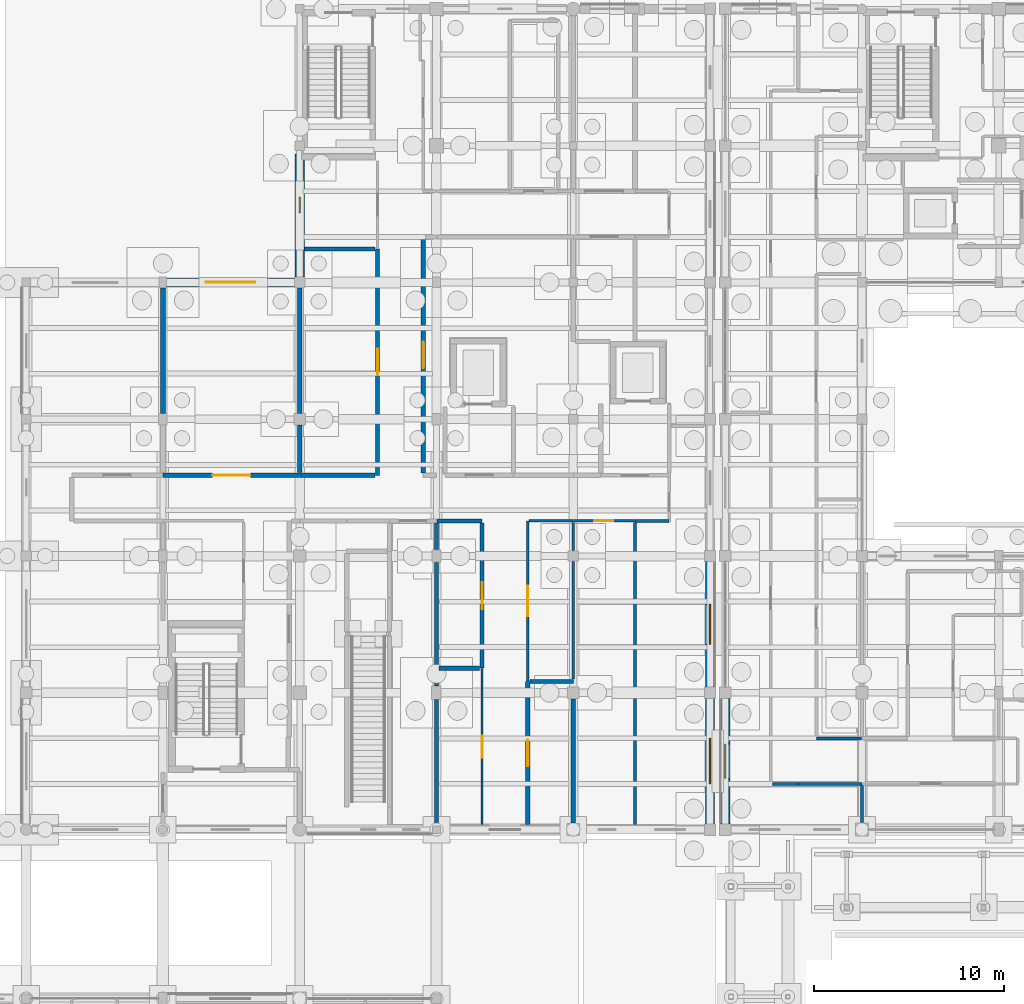
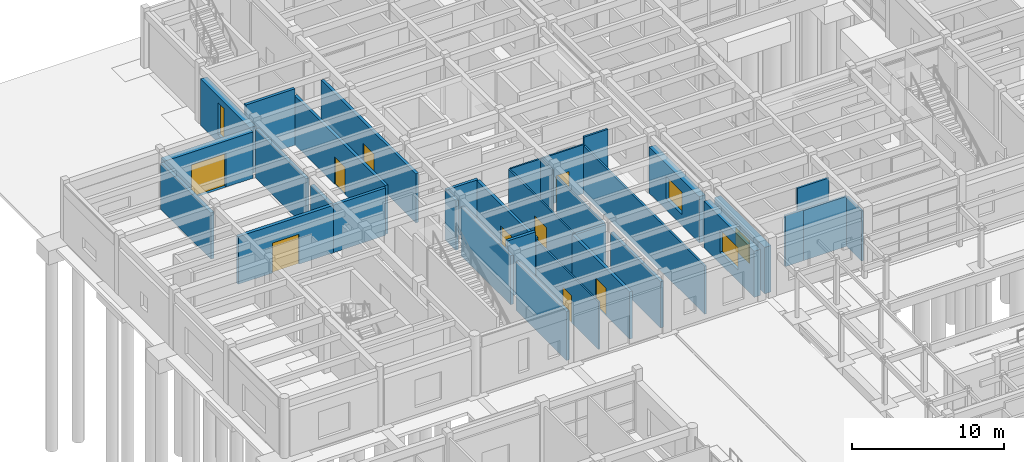
# One storey, part 106 of 143: 34 walls, 9 doors, 4 windows, 13 openings.
"""IFC4 building model written with IfcOpenShell, lengths in metres."""

from ifc_helpers import new_model, si_unit, direction, frame, frame_2d, origin, place, context, subcontext, project, spatial, rectangle, extrude, material, layer, layer_set, type_object, element, fill, save


model = new_model("IFC4")

# Units and contexts
model_context = context("Model", 3, precision=1e-05, world=origin(), true_north=direction((0.0, 1.0)))
body_context = subcontext(model_context, "Body", "Model", "MODEL_VIEW")
ifc_project = project(units=[si_unit("LENGTHUNIT", "METRE"), si_unit("AREAUNIT", "SQUARE_METRE"), si_unit("VOLUMEUNIT", "CUBIC_METRE"), si_unit("PLANEANGLEUNIT", "RADIAN"), si_unit("MASSUNIT", "GRAM", prefix="KILO")], contexts=[model_context])

# Site, building, storey
site_placement = place(None, origin())
site = spatial("IfcSite", under=ifc_project, at=site_placement, CompositionType="ELEMENT")
building_placement = place(site_placement, origin())
building = spatial("IfcBuilding", under=site, at=building_placement, Name="Steenspoor Specialist Clinic", CompositionType="ELEMENT")
storey_placement = place(building_placement, origin())
storey = spatial("IfcBuildingStorey", under=building, at=storey_placement, Name="L00", CompositionType="ELEMENT", Elevation=0.0)

# Wall, opening, window
ifc_material_1 = material(Name="Volcanic basalt ashlar masonry", Category="masonry")
ifc_layer_1 = layer(ifc_material_1, 0.47998046875)
ifc_layer_set_1 = layer_set([ifc_layer_1], Name="Volcanic basalt ashlar masonry")
wall_type_1 = type_object("IfcWallType", Name="W-BASALT-480", PredefinedType="SOLIDWALL", material=ifc_layer_set_1)
wall_1_placement = place(storey_placement, frame((52.39990234375, 65.449951171875, 0.0), z_axis=(0.0, 0.0, 1.0), x_axis=(0.0, 1.0, 0.0)))
wall_1 = element("IfcWall", 1, at=wall_1_placement, inside=storey, type_object=wall_type_1, Name="Exterior Brick Wall EW-V4-L00-0084", PredefinedType="SOLIDWALL", context=body_context, shape_type="SweptSolid", body=[
    extrude(rectangle(XDim=6.60009765625, YDim=0.47998046875, at=frame_2d((3.300048828125, 0.0))), origin(), (0.0, 0.0, 1.0), 3.72998046875),
])
opening_1_placement = place(wall_1_placement, frame((2.39990234375, 0.0, 0.89990234375)))
opening_1 = element("IfcOpeningElement", 2, at=opening_1_placement, cuts=wall_1, Name="Opening WN-08", PredefinedType="OPENING", context=body_context, shape_type="SweptSolid", body=[
    extrude(rectangle(XDim=1.800048828125, YDim=1.800048828125, at=frame_2d((0.89990234375, 0.89990234375))), frame((0.0, 0.25, 0.0), z_axis=(0.0, -1.0, 0.0), x_axis=(1.0, 0.0, 0.0)), (0.0, 0.0, 1.0), 0.5),
])
ifc_material_2 = material(Name="Thermally broken aluminium and low-emissivity glass", Category="aluminium")
window_type_1 = type_object("IfcWindowType", Name="WN-EXT-180X180", PartitioningType="SINGLE_PANEL", PredefinedType="WINDOW", material=ifc_material_2)
window_1_placement = place(opening_1_placement, origin())
window_1 = element("IfcWindow", 3, at=window_1_placement, inside=storey, type_object=window_type_1, Name="Window 0104", OverallHeight=1.800048828125, OverallWidth=1.800048828125, PartitioningType="SINGLE_PANEL", PredefinedType="WINDOW", context=body_context, shape_type="SweptSolid", body=[
    extrude(rectangle(XDim=1.800048828125, YDim=1.800048828125, at=frame_2d((0.89990234375, 0.89990234375))), frame((0.0, 0.030029296875, 0.0), z_axis=(0.0, -1.0, 0.0), x_axis=(1.0, 0.0, 0.0)), (0.0, 0.0, 1.0), 0.06005859375),
])
fill(opening_1, window_1)

# Wall, opening, door
wall_2_placement = place(storey_placement, frame((23.0, 93.949951171875, 0.0), z_axis=(0.0, 0.0, 1.0), x_axis=(1.0, 0.0, 0.0)))
wall_2 = element("IfcWall", 4, at=wall_2_placement, inside=storey, type_object=wall_type_1, Name="Exterior Brick Wall EW-V5-L00-0242", PredefinedType="SOLIDWALL", context=body_context, shape_type="SweptSolid", body=[
    extrude(rectangle(XDim=6.72509765625, YDim=0.47998046875, at=frame_2d((3.362548828125, 0.0))), origin(), (0.0, 0.0, 1.0), 3.699951171875),
])
opening_2_placement = place(wall_2_placement, frame((2.0625, 0.0, 0.0)))
opening_2 = element("IfcOpeningElement", 5, at=opening_2_placement, cuts=wall_2, Name="Opening ED33", PredefinedType="OPENING", context=body_context, shape_type="SweptSolid", body=[
    extrude(rectangle(XDim=2.60009765625, YDim=2.699951171875, at=frame_2d((1.300048828125, 1.35009765625))), frame((0.0, 0.25, 0.0), z_axis=(0.0, -1.0, 0.0), x_axis=(1.0, 0.0, 0.0)), (0.0, 0.0, 1.0), 0.5),
])
ifc_material_3 = material(Name="Painted galvanised steel loading door", Category="steel")
door_type_1 = type_object("IfcDoorType", Name="DT-DOCK-260X270", OperationType="NOTDEFINED", PredefinedType="DOOR", material=ifc_material_3)
door_1_placement = place(opening_2_placement, origin())
door_1 = element("IfcDoor", 6, at=door_1_placement, inside=storey, type_object=door_type_1, Name="Service Loading Door ED33", OperationType="DOUBLE_DOOR_SINGLE_SWING", OverallHeight=2.699951171875, OverallWidth=2.60009765625, PredefinedType="DOOR", context=body_context, shape_type="SweptSolid", body=[
    extrude(rectangle(XDim=2.60009765625, YDim=2.699951171875, at=frame_2d((1.300048828125, 1.35009765625))), frame((0.0, 0.02490234375, 0.0), z_axis=(0.0, -1.0, 0.0), x_axis=(1.0, 0.0, 0.0)), (0.0, 0.0, 1.0), 0.050048828125),
])
fill(opening_2, door_1)

# Wall, opening, window
wall_3_placement = place(storey_placement, frame((30.0, 94.22509765625, 0.0), z_axis=(0.0, 0.0, 1.0), x_axis=(0.0, 1.0, 0.0)))
wall_3 = element("IfcWall", 7, at=wall_3_placement, inside=storey, type_object=wall_type_1, Name="Exterior Brick Wall EW-V5-L00-0243", PredefinedType="SOLIDWALL", context=body_context, shape_type="SweptSolid", body=[
    extrude(rectangle(XDim=6.474853515625, YDim=0.47998046875, at=frame_2d((3.2373046875, 0.0))), origin(), (0.0, 0.0, 1.0), 3.699951171875),
])
opening_3_placement = place(wall_3_placement, frame((3.402587890625, 0.0, 0.60009765625)))
opening_3 = element("IfcOpeningElement", 8, at=opening_3_placement, cuts=wall_3, Name="Opening WN-24", PredefinedType="OPENING", context=body_context, shape_type="SweptSolid", body=[
    extrude(rectangle(XDim=0.800048828125, YDim=2.60009765625, at=frame_2d((0.39990234375, 1.300048828125))), frame((0.0, 0.25, 0.0), z_axis=(0.0, -1.0, 0.0), x_axis=(1.0, 0.0, 0.0)), (0.0, 0.0, 1.0), 0.5),
])
window_type_2 = type_object("IfcWindowType", Name="WN-EXT-080X260", PartitioningType="SINGLE_PANEL", PredefinedType="WINDOW", material=ifc_material_2)
window_2_placement = place(opening_3_placement, origin())
window_2 = element("IfcWindow", 9, at=window_2_placement, inside=storey, type_object=window_type_2, Name="Window 0264", OverallHeight=2.60009765625, OverallWidth=0.800048828125, PartitioningType="SINGLE_PANEL", PredefinedType="WINDOW", context=body_context, shape_type="SweptSolid", body=[
    extrude(rectangle(XDim=0.800048828125, YDim=2.60009765625, at=frame_2d((0.39990234375, 1.300048828125))), frame((0.0, 0.030029296875, 0.0), z_axis=(0.0, -1.0, 0.0), x_axis=(1.0, 0.0, 0.0)), (0.0, 0.0, 1.0), 0.06005859375),
])
fill(opening_3, window_2)

wall_4_placement = place(storey_placement, frame((51.60009765625, 79.25, 0.0), z_axis=(0.0, 0.0, 1.0), x_axis=(0.0, -1.0, 0.0)))
wall_4 = element("IfcWall", 10, at=wall_4_placement, inside=storey, type_object=wall_type_1, Name="Exterior Brick Wall EW-V5-L00-0252", PredefinedType="SOLIDWALL", context=body_context, shape_type="SweptSolid", body=[
    extrude(rectangle(XDim=6.60009765625, YDim=0.47998046875, at=frame_2d((3.300048828125, 0.0))), origin(), (0.0, 0.0, 1.0), 3.699951171875),
])
opening_4_placement = place(wall_4_placement, frame((2.25, 0.0, 0.89990234375)))
opening_4 = element("IfcOpeningElement", 11, at=opening_4_placement, cuts=wall_4, Name="Opening WN-09", PredefinedType="OPENING", context=body_context, shape_type="SweptSolid", body=[
    extrude(rectangle(XDim=2.10009765625, YDim=1.800048828125, at=frame_2d((1.050048828125, 0.89990234375))), frame((0.0, 0.25, 0.0), z_axis=(0.0, -1.0, 0.0), x_axis=(1.0, 0.0, 0.0)), (0.0, 0.0, 1.0), 0.5),
])
window_type_3 = type_object("IfcWindowType", Name="WN-EXT-210X180", PartitioningType="SINGLE_PANEL", PredefinedType="WINDOW", material=ifc_material_2)
window_3_placement = place(opening_4_placement, origin())
window_3 = element("IfcWindow", 12, at=window_3_placement, inside=storey, type_object=window_type_3, Name="Window 0273", OverallHeight=1.800048828125, OverallWidth=2.10009765625, PartitioningType="SINGLE_PANEL", PredefinedType="WINDOW", context=body_context, shape_type="SweptSolid", body=[
    extrude(rectangle(XDim=2.10009765625, YDim=1.800048828125, at=frame_2d((1.050048828125, 0.89990234375))), frame((0.0, 0.030029296875, 0.0), z_axis=(0.0, -1.0, 0.0), x_axis=(1.0, 0.0, 0.0)), (0.0, 0.0, 1.0), 0.06005859375),
])
fill(opening_4, window_3)

wall_5_placement = place(storey_placement, frame((51.60009765625, 72.050048828125, 0.0), z_axis=(0.0, 0.0, 1.0), x_axis=(0.0, -1.0, 0.0)))
wall_5 = element("IfcWall", 13, at=wall_5_placement, inside=storey, type_object=wall_type_1, Name="Exterior Brick Wall EW-V5-L00-0253", PredefinedType="SOLIDWALL", context=body_context, shape_type="SweptSolid", body=[
    extrude(rectangle(XDim=6.60009765625, YDim=0.47998046875, at=frame_2d((3.300048828125, 0.0))), origin(), (0.0, 0.0, 1.0), 3.699951171875),
])
opening_5_placement = place(wall_5_placement, frame((2.10009765625, 0.0, 0.89990234375)))
opening_5 = element("IfcOpeningElement", 14, at=opening_5_placement, cuts=wall_5, Name="Opening WN-10", PredefinedType="OPENING", context=body_context, shape_type="SweptSolid", body=[
    extrude(rectangle(XDim=2.39990234375, YDim=1.800048828125, at=frame_2d((1.199951171875, 0.89990234375))), frame((0.0, 0.25, 0.0), z_axis=(0.0, -1.0, 0.0), x_axis=(1.0, 0.0, 0.0)), (0.0, 0.0, 1.0), 0.5),
])
window_type_4 = type_object("IfcWindowType", Name="WN-EXT-240X180", PartitioningType="SINGLE_PANEL", PredefinedType="WINDOW", material=ifc_material_2)
window_4_placement = place(opening_5_placement, origin())
window_4 = element("IfcWindow", 15, at=window_4_placement, inside=storey, type_object=window_type_4, Name="Window 0274", OverallHeight=1.800048828125, OverallWidth=2.39990234375, PartitioningType="SINGLE_PANEL", PredefinedType="WINDOW", context=body_context, shape_type="SweptSolid", body=[
    extrude(rectangle(XDim=2.39990234375, YDim=1.800048828125, at=frame_2d((1.199951171875, 0.89990234375))), frame((0.0, 0.030029296875, 0.0), z_axis=(0.0, -1.0, 0.0), x_axis=(1.0, 0.0, 0.0)), (0.0, 0.0, 1.0), 0.06005859375),
])
fill(opening_5, window_4)

# Walls
ifc_material_4 = material(Name="Gypsum acoustic clinical partition", Category="gypsum")
ifc_layer_2 = layer(ifc_material_4, 0.14990234375)
ifc_layer_set_2 = layer_set([ifc_layer_2], Name="Gypsum acoustic clinical partition")
wall_type_2 = type_object("IfcWallType", Name="W-CLIN-150", PredefinedType="PARTITIONING", material=ifc_layer_set_2)
wall_6_placement = place(storey_placement, frame((54.889892578125, 67.550048828125, 0.0), z_axis=(0.0, 0.0, 1.0), x_axis=(1.0, 0.0, 0.0)))
element("IfcWall", 16, at=wall_6_placement, inside=storey, type_object=wall_type_2, Name="Interior Partition IW-V4-L00-0212", PredefinedType="PARTITIONING", context=body_context, shape_type="SweptSolid", body=[
    extrude(rectangle(XDim=1.360107421875, YDim=0.14990234375, at=frame_2d((0.68017578125, 0.0))), origin(), (0.0, 0.0, 1.0), 4.074951171875),
])
wall_7_placement = place(storey_placement, frame((56.264892578125, 67.550048828125, 0.0), z_axis=(0.0, 0.0, 1.0), x_axis=(1.0, 0.0, 0.0)))
element("IfcWall", 17, at=wall_7_placement, inside=storey, type_object=wall_type_2, Name="Interior Partition IW-V4-L00-0213", PredefinedType="PARTITIONING", context=body_context, shape_type="SweptSolid", body=[
    extrude(rectangle(XDim=3.335205078125, YDim=0.14990234375, at=frame_2d((1.66748046875, 0.0))), origin(), (0.0, 0.0, 1.0), 4.014892578125),
])
wall_8_placement = place(storey_placement, frame((57.199951171875, 69.949951171875, 0.0), z_axis=(0.0, 0.0, 1.0), x_axis=(1.0, 0.0, 0.0)))
element("IfcWall", 18, at=wall_8_placement, inside=storey, type_object=wall_type_2, Name="Interior Partition IW-V4-L00-0231", PredefinedType="PARTITIONING", context=body_context, shape_type="SweptSolid", body=[
    extrude(rectangle(XDim=2.385009765625, YDim=0.14990234375, at=frame_2d((1.1923828125, 0.0))), origin(), (0.0, 0.0, 1.0), 4.014892578125),
])
wall_9_placement = place(storey_placement, frame((47.64990234375, 81.39990234375, 0.0), z_axis=(0.0, 0.0, 1.0), x_axis=(1.0, 0.0, 0.0)))
element("IfcWall", 19, at=wall_9_placement, inside=storey, type_object=wall_type_2, Name="Interior Partition IW-V5-L00-0274", PredefinedType="PARTITIONING", context=body_context, shape_type="SweptSolid", body=[
    extrude(rectangle(XDim=1.800048828125, YDim=0.14990234375, at=frame_2d((0.89990234375, 0.0))), origin(), (0.0, 0.0, 1.0), 4.52001953125),
])
wall_10_placement = place(storey_placement, frame((59.60009765625, 65.514892578125, 0.0), z_axis=(0.0, 0.0, 1.0), x_axis=(0.0, 1.0, 0.0)))
element("IfcWall", 20, at=wall_10_placement, inside=storey, type_object=wall_type_2, Name="Interior Partition IW-V4-L00-0599", PredefinedType="PARTITIONING", context=body_context, shape_type="SweptSolid", body=[
    extrude(rectangle(XDim=1.945068359375, YDim=0.14990234375, at=frame_2d((0.97265625, 0.0))), origin(), (0.0, 0.0, 1.0), 4.014892578125),
])
wall_11_placement = place(storey_placement, frame((47.64990234375, 65.405029296875, 0.0), z_axis=(0.0, 0.0, 1.0), x_axis=(0.0, 1.0, 0.0)))
element("IfcWall", 21, at=wall_11_placement, inside=storey, type_object=wall_type_2, Name="Interior Partition IW-V5-L00-0632", PredefinedType="PARTITIONING", context=body_context, shape_type="SweptSolid", body=[
    extrude(rectangle(XDim=15.905029296875, YDim=0.14990234375, at=frame_2d((7.95263671875, 0.0))), origin(), (0.0, 0.0, 1.0), 3.85498046875),
])

# Wall, opening, door
ifc_material_5 = material(Name="Fire-rated clay blockwork masonry", Category="masonry")
ifc_layer_3 = layer(ifc_material_5, 0.219970703125)
ifc_layer_set_3 = layer_set([ifc_layer_3], Name="Fire-rated clay blockwork masonry")
wall_type_3 = type_object("IfcWallType", Name="W-FIRE-220", PredefinedType="PARTITIONING", material=ifc_layer_set_3)
wall_12_placement = place(storey_placement, frame((42.0, 65.405029296875, 0.0), z_axis=(0.0, 0.0, 1.0), x_axis=(0.0, 1.0, 0.0)))
wall_12 = element("IfcWall", 22, at=wall_12_placement, inside=storey, type_object=wall_type_3, Name="Interior Partition IW-V5-L00-0079", PredefinedType="PARTITIONING", context=body_context, shape_type="SweptSolid", body=[
    extrude(rectangle(XDim=7.5400390625, YDim=0.219970703125, at=frame_2d((3.77001953125, 0.0))), origin(), (0.0, 0.0, 1.0), 3.784912109375),
])
opening_6_placement = place(wall_12_placement, frame((3.070068359375, 0.0, 0.0)))
opening_6 = element("IfcOpeningElement", 23, at=opening_6_placement, cuts=wall_12, Name="Opening D0328", PredefinedType="OPENING", context=body_context, shape_type="SweptSolid", body=[
    extrude(rectangle(XDim=1.39990234375, YDim=2.199951171875, at=frame_2d((0.699951171875, 1.10009765625))), frame((0.0, 0.1201171875, 0.0), z_axis=(0.0, -1.0, 0.0), x_axis=(1.0, 0.0, 0.0)), (0.0, 0.0, 1.0), 0.239990234375),
])
ifc_material_6 = material(Name="Fire-rated clinical laminate door", Category="steel")
door_type_2 = type_object("IfcDoorType", Name="DT-LAB-140X220", OperationType="NOTDEFINED", PredefinedType="DOOR", material=ifc_material_6)
door_2_placement = place(opening_6_placement, origin())
door_2 = element("IfcDoor", 24, at=door_2_placement, inside=storey, type_object=door_type_2, Name="Clinical Door D0328", OperationType="SINGLE_SWING_LEFT", OverallHeight=2.199951171875, OverallWidth=1.39990234375, PredefinedType="DOOR", context=body_context, shape_type="SweptSolid", body=[
    extrude(rectangle(XDim=1.39990234375, YDim=2.199951171875, at=frame_2d((0.699951171875, 1.10009765625))), frame((0.0, 0.02490234375, 0.0), z_axis=(0.0, -1.0, 0.0), x_axis=(1.0, 0.0, 0.0)), (0.0, 0.0, 1.0), 0.050048828125),
])
fill(opening_6, door_2)

# Wall
wall_13_placement = place(storey_placement, frame((37.215087890625, 81.39990234375, 0.0), z_axis=(0.0, 0.0, 1.0), x_axis=(1.0, 0.0, 0.0)))
element("IfcWall", 25, at=wall_13_placement, inside=storey, type_object=wall_type_3, Name="Interior Partition IW-V5-L00-0080", PredefinedType="PARTITIONING", context=body_context, shape_type="SweptSolid", body=[
    extrude(rectangle(XDim=2.385009765625, YDim=0.219970703125, at=frame_2d((1.1923828125, 0.0))), origin(), (0.0, 0.0, 1.0), 3.955078125),
])

# Wall, opening, door
wall_14_placement = place(storey_placement, frame((39.60009765625, 73.64501953125, 0.0), z_axis=(0.0, 0.0, 1.0), x_axis=(0.0, 1.0, 0.0)))
wall_14 = element("IfcWall", 26, at=wall_14_placement, inside=storey, type_object=wall_type_3, Name="Interior Partition IW-V5-L00-0081", PredefinedType="PARTITIONING", context=body_context, shape_type="SweptSolid", body=[
    extrude(rectangle(XDim=7.6298828125, YDim=0.219970703125, at=frame_2d((3.81494140625, 0.0))), origin(), (0.0, 0.0, 1.0), 3.925048828125),
])
opening_7_placement = place(wall_14_placement, frame((3.114990234375, 0.0, 0.0)))
opening_7 = element("IfcOpeningElement", 27, at=opening_7_placement, cuts=wall_14, Name="Opening D0332", PredefinedType="OPENING", context=body_context, shape_type="SweptSolid", body=[
    extrude(rectangle(XDim=1.39990234375, YDim=2.199951171875, at=frame_2d((0.699951171875, 1.10009765625))), frame((0.0, 0.1201171875, 0.0), z_axis=(0.0, -1.0, 0.0), x_axis=(1.0, 0.0, 0.0)), (0.0, 0.0, 1.0), 0.239990234375),
])
door_3_placement = place(opening_7_placement, origin())
door_3 = element("IfcDoor", 28, at=door_3_placement, inside=storey, type_object=door_type_2, Name="Clinical Door D0332", OperationType="SINGLE_SWING_LEFT", OverallHeight=2.199951171875, OverallWidth=1.39990234375, PredefinedType="DOOR", context=body_context, shape_type="SweptSolid", body=[
    extrude(rectangle(XDim=1.39990234375, YDim=2.199951171875, at=frame_2d((0.699951171875, 1.10009765625))), frame((0.0, 0.02490234375, 0.0), z_axis=(0.0, -1.0, 0.0), x_axis=(1.0, 0.0, 0.0)), (0.0, 0.0, 1.0), 0.050048828125),
])
fill(opening_7, door_3)

wall_15_placement = place(storey_placement, frame((34.10009765625, 83.800048828125, 0.0), z_axis=(0.0, 0.0, 1.0), x_axis=(0.0, 1.0, 0.0)))
wall_15 = element("IfcWall", 29, at=wall_15_placement, inside=storey, type_object=wall_type_3, Name="Interior Partition IW-V5-L00-0082", PredefinedType="PARTITIONING", context=body_context, shape_type="SweptSolid", body=[
    extrude(rectangle(XDim=11.905029296875, YDim=0.219970703125, at=frame_2d((5.95263671875, 0.0))), origin(), (0.0, 0.0, 1.0), 3.925048828125),
])
opening_8_placement = place(wall_15_placement, frame((5.25244140625, 0.0, 0.0)))
opening_8 = element("IfcOpeningElement", 30, at=opening_8_placement, cuts=wall_15, Name="Opening D0335", PredefinedType="OPENING", context=body_context, shape_type="SweptSolid", body=[
    extrude(rectangle(XDim=1.39990234375, YDim=2.199951171875, at=frame_2d((0.699951171875, 1.10009765625))), frame((0.0, 0.1201171875, 0.0), z_axis=(0.0, -1.0, 0.0), x_axis=(1.0, 0.0, 0.0)), (0.0, 0.0, 1.0), 0.239990234375),
])
door_4_placement = place(opening_8_placement, origin())
door_4 = element("IfcDoor", 31, at=door_4_placement, inside=storey, type_object=door_type_2, Name="Clinical Door D0335", OperationType="SINGLE_SWING_RIGHT", OverallHeight=2.199951171875, OverallWidth=1.39990234375, PredefinedType="DOOR", context=body_context, shape_type="SweptSolid", body=[
    extrude(rectangle(XDim=1.39990234375, YDim=2.199951171875, at=frame_2d((0.699951171875, 1.10009765625))), frame((0.0, 0.02490234375, 0.0), z_axis=(0.0, -1.0, 0.0), x_axis=(1.0, 0.0, 0.0)), (0.0, 0.0, 1.0), 0.050048828125),
])
fill(opening_8, door_4)

# Wall
wall_16_placement = place(storey_placement, frame((30.014892578125, 83.800048828125, 0.0), z_axis=(0.0, 0.0, 1.0), x_axis=(1.0, 0.0, 0.0)))
element("IfcWall", 32, at=wall_16_placement, inside=storey, type_object=wall_type_3, Name="Interior Partition IW-V5-L00-0083", PredefinedType="PARTITIONING", context=body_context, shape_type="SweptSolid", body=[
    extrude(rectangle(XDim=3.960205078125, YDim=0.219970703125, at=frame_2d((1.97998046875, 0.0))), origin(), (0.0, 0.0, 1.0), 3.804931640625),
])

# Wall, opening, door
wall_17_placement = place(storey_placement, frame((36.5, 83.925048828125, 0.0), z_axis=(0.0, 0.0, 1.0), x_axis=(0.0, 1.0, 0.0)))
wall_17 = element("IfcWall", 33, at=wall_17_placement, inside=storey, type_object=wall_type_3, Name="Interior Partition IW-V5-L00-0086", PredefinedType="PARTITIONING", context=body_context, shape_type="SweptSolid", body=[
    extrude(rectangle(XDim=12.425048828125, YDim=0.219970703125, at=frame_2d((6.21240234375, 0.0))), origin(), (0.0, 0.0, 1.0), 3.925048828125),
])
opening_9_placement = place(wall_17_placement, frame((5.512451171875, 0.0, 0.0)))
opening_9 = element("IfcOpeningElement", 34, at=opening_9_placement, cuts=wall_17, Name="Opening D0336", PredefinedType="OPENING", context=body_context, shape_type="SweptSolid", body=[
    extrude(rectangle(XDim=1.39990234375, YDim=2.199951171875, at=frame_2d((0.699951171875, 1.10009765625))), frame((0.0, 0.1201171875, 0.0), z_axis=(0.0, -1.0, 0.0), x_axis=(1.0, 0.0, 0.0)), (0.0, 0.0, 1.0), 0.239990234375),
])
door_5_placement = place(opening_9_placement, origin())
door_5 = element("IfcDoor", 35, at=door_5_placement, inside=storey, type_object=door_type_2, Name="Clinical Door D0336", OperationType="SINGLE_SWING_LEFT", OverallHeight=2.199951171875, OverallWidth=1.39990234375, PredefinedType="DOOR", context=body_context, shape_type="SweptSolid", body=[
    extrude(rectangle(XDim=1.39990234375, YDim=2.199951171875, at=frame_2d((0.699951171875, 1.10009765625))), frame((0.0, 0.02490234375, 0.0), z_axis=(0.0, -1.0, 0.0), x_axis=(1.0, 0.0, 0.0)), (0.0, 0.0, 1.0), 0.050048828125),
])
fill(opening_9, door_5)

# Walls
wall_18_placement = place(storey_placement, frame((37.199951171875, 65.364990234375, 0.0), z_axis=(0.0, 0.0, 1.0), x_axis=(0.0, 1.0, 0.0)))
element("IfcWall", 36, at=wall_18_placement, inside=storey, type_object=wall_type_3, Name="Interior Partition IW-V5-L00-0447", PredefinedType="PARTITIONING", context=body_context, shape_type="SweptSolid", body=[
    extrude(rectangle(XDim=6.6201171875, YDim=0.219970703125, at=frame_2d((3.31005859375, 0.0))), origin(), (0.0, 0.0, 1.0), 3.925048828125),
])
wall_19_placement = place(storey_placement, frame((37.199951171875, 72.715087890625, 0.0), z_axis=(0.0, 0.0, 1.0), x_axis=(0.0, 1.0, 0.0)))
element("IfcWall", 37, at=wall_19_placement, inside=storey, type_object=wall_type_3, Name="Interior Partition IW-V5-L00-0448", PredefinedType="PARTITIONING", context=body_context, shape_type="SweptSolid", body=[
    extrude(rectangle(XDim=6.494873046875, YDim=0.219970703125, at=frame_2d((3.24755859375, 0.0))), origin(), (0.0, 0.0, 1.0), 3.925048828125),
])
wall_20_placement = place(storey_placement, frame((37.199951171875, 79.889892578125, 0.0), z_axis=(0.0, 0.0, 1.0), x_axis=(0.0, 1.0, 0.0)))
element("IfcWall", 38, at=wall_20_placement, inside=storey, type_object=wall_type_3, Name="Interior Partition IW-V5-L00-0449", PredefinedType="PARTITIONING", context=body_context, shape_type="SweptSolid", body=[
    extrude(rectangle(XDim=1.385009765625, YDim=0.219970703125, at=frame_2d((0.6923828125, 0.0))), origin(), (0.0, 0.0, 1.0), 3.955078125),
])
wall_21_placement = place(storey_placement, frame((37.324951171875, 73.64501953125, 0.0), z_axis=(0.0, 0.0, 1.0), x_axis=(1.0, 0.0, 0.0)))
element("IfcWall", 39, at=wall_21_placement, inside=storey, type_object=wall_type_3, Name="Interior Partition IW-V5-L00-0450", PredefinedType="PARTITIONING", context=body_context, shape_type="SweptSolid", body=[
    extrude(rectangle(XDim=2.150146484375, YDim=0.219970703125, at=frame_2d((1.0751953125, 0.0))), origin(), (0.0, 0.0, 1.0), 4.52001953125),
])
wall_22_placement = place(storey_placement, frame((44.39990234375, 65.489990234375, 0.0), z_axis=(0.0, 0.0, 1.0), x_axis=(0.0, 1.0, 0.0)))
element("IfcWall", 40, at=wall_22_placement, inside=storey, type_object=wall_type_3, Name="Interior Partition IW-V5-L00-0451", PredefinedType="PARTITIONING", context=body_context, shape_type="SweptSolid", body=[
    extrude(rectangle(XDim=6.544921875, YDim=0.219970703125, at=frame_2d((3.2724609375, 0.0))), origin(), (0.0, 0.0, 1.0), 3.705078125),
])
wall_23_placement = place(storey_placement, frame((42.125, 72.945068359375, 0.0), z_axis=(0.0, 0.0, 1.0), x_axis=(1.0, 0.0, 0.0)))
element("IfcWall", 41, at=wall_23_placement, inside=storey, type_object=wall_type_3, Name="Interior Partition IW-V5-L00-0452", PredefinedType="PARTITIONING", context=body_context, shape_type="SweptSolid", body=[
    extrude(rectangle(XDim=2.27490234375, YDim=0.219970703125, at=frame_2d((1.137451171875, 0.0))), origin(), (0.0, 0.0, 1.0), 3.804931640625),
])
wall_24_placement = place(storey_placement, frame((30.2548828125, 95.705078125, 0.0), z_axis=(0.0, 0.0, 1.0), x_axis=(1.0, 0.0, 0.0)))
element("IfcWall", 42, at=wall_24_placement, inside=storey, type_object=wall_type_3, Name="Interior Partition IW-V5-L00-0453", PredefinedType="PARTITIONING", context=body_context, shape_type="SweptSolid", body=[
    extrude(rectangle(XDim=3.72021484375, YDim=0.219970703125, at=frame_2d((1.860107421875, 0.0))), origin(), (0.0, 0.0, 1.0), 4.52001953125),
])

# Wall, opening, door
ifc_material_7 = material(Name="Gypsum studio partition board", Category="gypsum")
ifc_layer_4 = layer(ifc_material_7, 0.1201171875)
ifc_layer_set_4 = layer_set([ifc_layer_4], Name="Gypsum studio partition board")
wall_type_4 = type_object("IfcWallType", Name="W-PART-120", PredefinedType="PARTITIONING", material=ifc_layer_set_4)
wall_25_placement = place(storey_placement, frame((39.60009765625, 65.405029296875, 0.0), z_axis=(0.0, 0.0, 1.0), x_axis=(0.0, 1.0, 0.0)))
wall_25 = element("IfcWall", 43, at=wall_25_placement, inside=storey, type_object=wall_type_4, Name="Interior Partition IW-V5-L00-0364", PredefinedType="PARTITIONING", context=body_context, shape_type="SweptSolid", body=[
    extrude(rectangle(XDim=8.224853515625, YDim=0.1201171875, at=frame_2d((4.1123046875, 0.0))), origin(), (0.0, 0.0, 1.0), 3.784912109375),
])
opening_10_placement = place(wall_25_placement, frame((3.53759765625, 0.0, 0.0)))
opening_10 = element("IfcOpeningElement", 44, at=opening_10_placement, cuts=wall_25, Name="Opening D0327", PredefinedType="OPENING", context=body_context, shape_type="SweptSolid", body=[
    extrude(rectangle(XDim=1.14990234375, YDim=2.14990234375, at=frame_2d((0.574951171875, 1.074951171875))), frame((0.0, 0.070068359375, 0.0), z_axis=(0.0, -1.0, 0.0), x_axis=(1.0, 0.0, 0.0)), (0.0, 0.0, 1.0), 0.14013671875),
])
ifc_material_8 = material(Name="Solid-core hardwood clinical door", Category="wood")
door_type_3 = type_object("IfcDoorType", Name="DT-CONS-115X215", OperationType="NOTDEFINED", PredefinedType="DOOR", material=ifc_material_8)
door_6_placement = place(opening_10_placement, origin())
door_6 = element("IfcDoor", 45, at=door_6_placement, inside=storey, type_object=door_type_3, Name="Clinical Door D0327", OperationType="SINGLE_SWING_RIGHT", OverallHeight=2.14990234375, OverallWidth=1.14990234375, PredefinedType="DOOR", context=body_context, shape_type="SweptSolid", body=[
    extrude(rectangle(XDim=1.14990234375, YDim=2.14990234375, at=frame_2d((0.574951171875, 1.074951171875))), frame((0.0, 0.02490234375, 0.0), z_axis=(0.0, -1.0, 0.0), x_axis=(1.0, 0.0, 0.0)), (0.0, 0.0, 1.0), 0.050048828125),
])
fill(opening_10, door_6)

wall_26_placement = place(storey_placement, frame((44.39990234375, 81.39990234375, 0.0), z_axis=(0.0, 0.0, 1.0), x_axis=(1.0, 0.0, 0.0)))
wall_26 = element("IfcWall", 46, at=wall_26_placement, inside=storey, type_object=wall_type_4, Name="Interior Partition IW-V5-L00-0365", PredefinedType="PARTITIONING", context=body_context, shape_type="SweptSolid", body=[
    extrude(rectangle(XDim=3.235107421875, YDim=0.1201171875, at=frame_2d((1.61767578125, 0.0))), origin(), (0.0, 0.0, 1.0), 3.925048828125),
])
opening_11_placement = place(wall_26_placement, frame((1.117431640625, 0.0, 0.0)))
opening_11 = element("IfcOpeningElement", 47, at=opening_11_placement, cuts=wall_26, Name="Opening D0329", PredefinedType="OPENING", context=body_context, shape_type="SweptSolid", body=[
    extrude(rectangle(XDim=1.0, YDim=2.14990234375, at=frame_2d((0.5, 1.074951171875))), frame((0.0, 0.070068359375, 0.0), z_axis=(0.0, -1.0, 0.0), x_axis=(1.0, 0.0, 0.0)), (0.0, 0.0, 1.0), 0.14013671875),
])
ifc_material_9 = material(Name="Moisture-resistant HPL accessible WC door", Category="wood")
door_type_4 = type_object("IfcDoorType", Name="DT-AWC-100X215", OperationType="NOTDEFINED", PredefinedType="DOOR", material=ifc_material_9)
door_7_placement = place(opening_11_placement, origin())
door_7 = element("IfcDoor", 48, at=door_7_placement, inside=storey, type_object=door_type_4, Name="Clinical Door D0329", OperationType="SINGLE_SWING_RIGHT", OverallHeight=2.14990234375, OverallWidth=1.0, PredefinedType="DOOR", context=body_context, shape_type="SweptSolid", body=[
    extrude(rectangle(XDim=1.0, YDim=2.14990234375, at=frame_2d((0.5, 1.074951171875))), frame((0.0, 0.02490234375, 0.0), z_axis=(0.0, -1.0, 0.0), x_axis=(1.0, 0.0, 0.0)), (0.0, 0.0, 1.0), 0.050048828125),
])
fill(opening_11, door_7)

wall_27_placement = place(storey_placement, frame((42.0, 72.9599609375, 0.0), z_axis=(0.0, 0.0, 1.0), x_axis=(0.0, 1.0, 0.0)))
wall_27 = element("IfcWall", 49, at=wall_27_placement, inside=storey, type_object=wall_type_4, Name="Interior Partition IW-V5-L00-0366", PredefinedType="PARTITIONING", context=body_context, shape_type="SweptSolid", body=[
    extrude(rectangle(XDim=8.43994140625, YDim=0.1201171875, at=frame_2d((4.219970703125, 0.0))), origin(), (0.0, 0.0, 1.0), 3.925048828125),
])
opening_12_placement = place(wall_27_placement, frame((3.419921875, 0.0, 0.0)))
opening_12 = element("IfcOpeningElement", 50, at=opening_12_placement, cuts=wall_27, Name="Opening D0331", PredefinedType="OPENING", context=body_context, shape_type="SweptSolid", body=[
    extrude(rectangle(XDim=1.60009765625, YDim=2.25, at=frame_2d((0.800048828125, 1.125))), frame((0.0, 0.070068359375, 0.0), z_axis=(0.0, -1.0, 0.0), x_axis=(1.0, 0.0, 0.0)), (0.0, 0.0, 1.0), 0.14013671875),
])
ifc_material_10 = material(Name="Hygienic HPL clinical timber door", Category="wood")
door_type_5 = type_object("IfcDoorType", Name="DT-PROC-160X225", OperationType="NOTDEFINED", PredefinedType="DOOR", material=ifc_material_10)
door_8_placement = place(opening_12_placement, origin())
door_8 = element("IfcDoor", 51, at=door_8_placement, inside=storey, type_object=door_type_5, Name="Clinical Door D0331", OperationType="SINGLE_SWING_RIGHT", OverallHeight=2.25, OverallWidth=1.60009765625, PredefinedType="DOOR", context=body_context, shape_type="SweptSolid", body=[
    extrude(rectangle(XDim=1.60009765625, YDim=2.25, at=frame_2d((0.800048828125, 1.125))), frame((0.0, 0.02490234375, 0.0), z_axis=(0.0, -1.0, 0.0), x_axis=(1.0, 0.0, 0.0)), (0.0, 0.0, 1.0), 0.050048828125),
])
fill(opening_12, door_8)

# Walls
wall_28_placement = place(storey_placement, frame((42.074951171875, 81.39990234375, 0.0), z_axis=(0.0, 0.0, 1.0), x_axis=(1.0, 0.0, 0.0)))
element("IfcWall", 52, at=wall_28_placement, inside=storey, type_object=wall_type_4, Name="Interior Partition IW-V5-L00-0367", PredefinedType="PARTITIONING", context=body_context, shape_type="SweptSolid", body=[
    extrude(rectangle(XDim=2.31005859375, YDim=0.1201171875, at=frame_2d((1.155029296875, 0.0))), origin(), (0.0, 0.0, 1.0), 3.925048828125),
])
wall_29_placement = place(storey_placement, frame((44.39990234375, 73.070068359375, 0.0), z_axis=(0.0, 0.0, 1.0), x_axis=(0.0, 1.0, 0.0)))
element("IfcWall", 53, at=wall_29_placement, inside=storey, type_object=wall_type_4, Name="Interior Partition IW-V5-L00-0659", PredefinedType="PARTITIONING", context=body_context, shape_type="SweptSolid", body=[
    extrude(rectangle(XDim=6.18994140625, YDim=0.1201171875, at=frame_2d((3.094970703125, 0.0))), origin(), (0.0, 0.0, 1.0), 3.804931640625),
])
wall_30_placement = place(storey_placement, frame((44.39990234375, 79.840087890625, 0.0), z_axis=(0.0, 0.0, 1.0), x_axis=(0.0, 1.0, 0.0)))
element("IfcWall", 54, at=wall_30_placement, inside=storey, type_object=wall_type_4, Name="Interior Partition IW-V5-L00-0660", PredefinedType="PARTITIONING", context=body_context, shape_type="SweptSolid", body=[
    extrude(rectangle(XDim=1.48486328125, YDim=0.1201171875, at=frame_2d((0.742431640625, 0.0))), origin(), (0.0, 0.0, 1.0), 3.925048828125),
])

# Wall, opening, door
ifc_layer_5 = layer(ifc_material_5, 0.25)
ifc_layer_set_5 = layer_set([ifc_layer_5], Name="Fire-rated clay blockwork masonry")
wall_type_5 = type_object("IfcWallType", Name="W-SHAFT-250", PredefinedType="PARTITIONING", material=ifc_layer_set_5)
wall_31_placement = place(storey_placement, frame((22.800048828125, 83.800048828125, 0.0), z_axis=(0.0, 0.0, 1.0), x_axis=(1.0, 0.0, 0.0)))
wall_31 = element("IfcWall", 55, at=wall_31_placement, inside=storey, type_object=wall_type_5, Name="Interior Partition IW-V5-L00-0060", PredefinedType="PARTITIONING", context=body_context, shape_type="SweptSolid", body=[
    extrude(rectangle(XDim=7.199951171875, YDim=0.25, at=frame_2d((3.60009765625, 0.0))), origin(), (0.0, 0.0, 1.0), 3.804931640625),
])
opening_13_placement = place(wall_31_placement, frame((2.60009765625, 0.0, 0.0)))
opening_13 = element("IfcOpeningElement", 56, at=opening_13_placement, cuts=wall_31, Name="Opening D0334", PredefinedType="OPENING", context=body_context, shape_type="SweptSolid", body=[
    extrude(rectangle(XDim=2.0, YDim=2.39990234375, at=frame_2d((1.0, 1.199951171875))), frame((0.0, 0.135009765625, 0.0), z_axis=(0.0, -1.0, 0.0), x_axis=(1.0, 0.0, 0.0)), (0.0, 0.0, 1.0), 0.27001953125),
])
ifc_material_11 = material(Name="Fire-rated louvred steel plant door", Category="steel")
door_type_6 = type_object("IfcDoorType", Name="DT-PLANT-200X240", OperationType="NOTDEFINED", PredefinedType="DOOR", material=ifc_material_11)
door_9_placement = place(opening_13_placement, origin())
door_9 = element("IfcDoor", 57, at=door_9_placement, inside=storey, type_object=door_type_6, Name="Clinical Door D0334", OperationType="DOUBLE_DOOR_SINGLE_SWING", OverallHeight=2.39990234375, OverallWidth=2.0, PredefinedType="DOOR", context=body_context, shape_type="SweptSolid", body=[
    extrude(rectangle(XDim=2.0, YDim=2.39990234375, at=frame_2d((1.0, 1.199951171875))), frame((0.0, 0.02490234375, 0.0), z_axis=(0.0, -1.0, 0.0), x_axis=(1.0, 0.0, 0.0)), (0.0, 0.0, 1.0), 0.050048828125),
])
fill(opening_13, door_9)

# Walls
wall_32_placement = place(storey_placement, frame((22.800048828125, 87.06494140625, 0.0), z_axis=(0.0, 0.0, 1.0), x_axis=(0.0, 1.0, 0.0)))
element("IfcWall", 58, at=wall_32_placement, inside=storey, type_object=wall_type_5, Name="Interior Partition IW-V5-L00-0416", PredefinedType="PARTITIONING", context=body_context, shape_type="SweptSolid", body=[
    extrude(rectangle(XDim=6.594970703125, YDim=0.25, at=frame_2d((3.29736328125, 0.0))), origin(), (0.0, 0.0, 1.0), 3.705078125),
])
wall_33_placement = place(storey_placement, frame((30.0, 83.93994140625, 0.0), z_axis=(0.0, 0.0, 1.0), x_axis=(0.0, 1.0, 0.0)))
element("IfcWall", 59, at=wall_33_placement, inside=storey, type_object=wall_type_5, Name="Interior Partition IW-V5-L00-0417", PredefinedType="PARTITIONING", context=body_context, shape_type="SweptSolid", body=[
    extrude(rectangle(XDim=2.4951171875, YDim=0.25, at=frame_2d((1.24755859375, 0.0))), origin(), (0.0, 0.0, 1.0), 3.804931640625),
])
wall_34_placement = place(storey_placement, frame((30.0, 87.06494140625, 0.0), z_axis=(0.0, 0.0, 1.0), x_axis=(0.0, 1.0, 0.0)))
element("IfcWall", 60, at=wall_34_placement, inside=storey, type_object=wall_type_5, Name="Interior Partition IW-V5-L00-0418", PredefinedType="PARTITIONING", context=body_context, shape_type="SweptSolid", body=[
    extrude(rectangle(XDim=6.594970703125, YDim=0.25, at=frame_2d((3.29736328125, 0.0))), origin(), (0.0, 0.0, 1.0), 3.925048828125),
])

save(model, "model.ifc")
